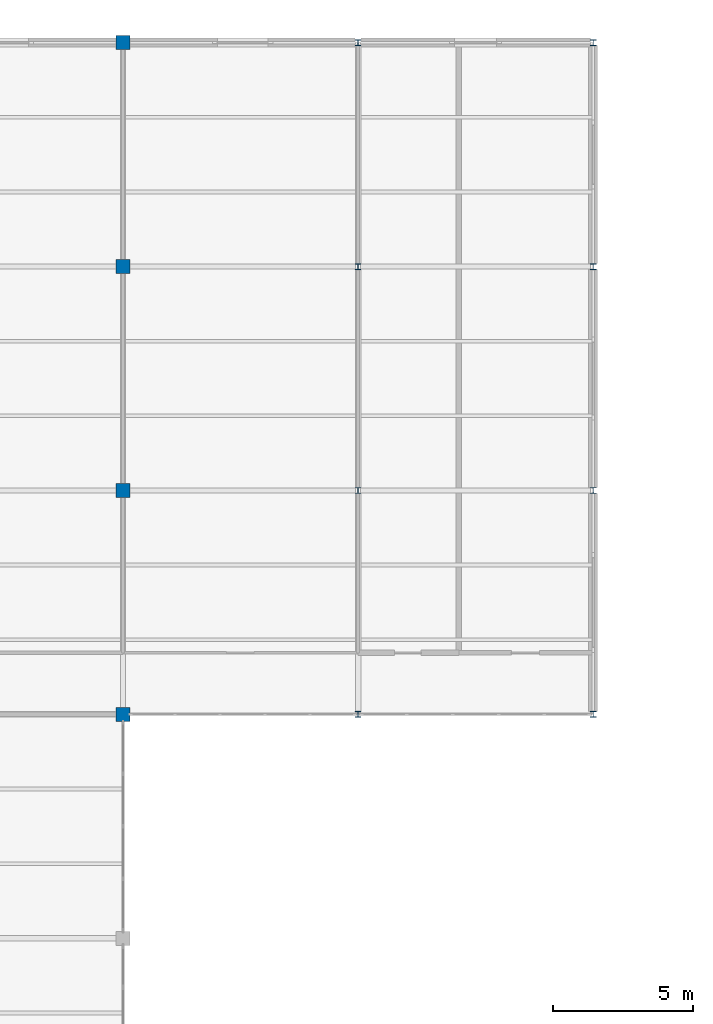
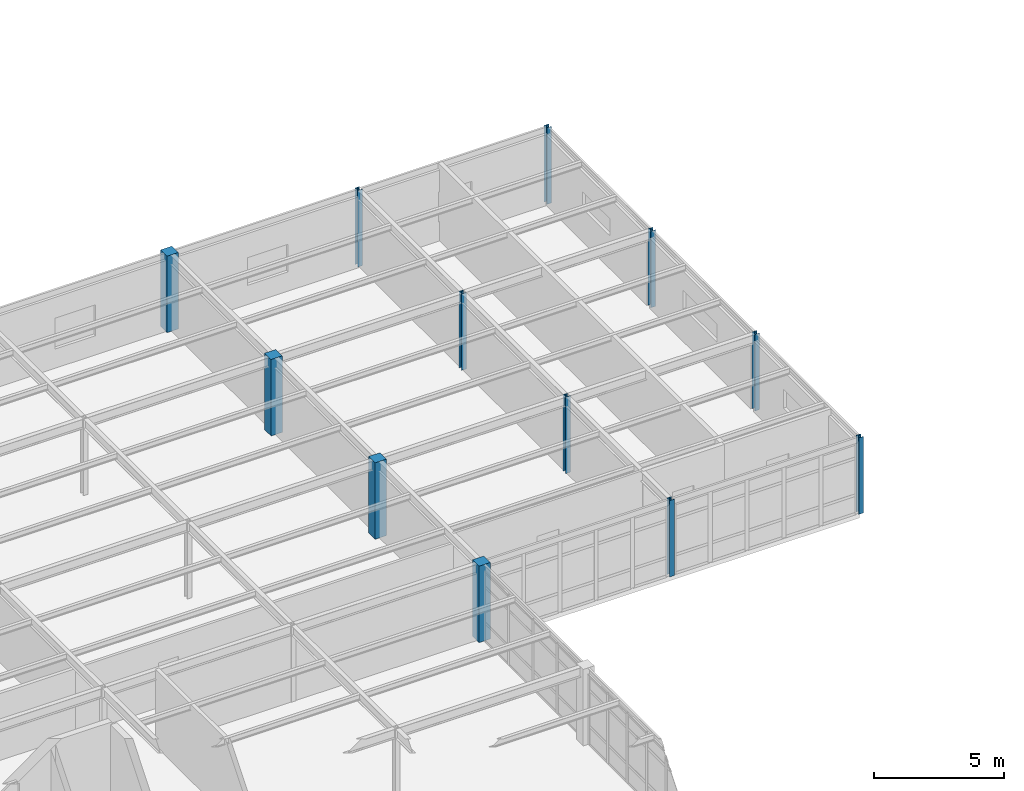
# One storey, part 7 of 32: 12 columns.
"""IFC4 building model written with IfcOpenShell, lengths in metres."""

from ifc_helpers import new_model, si_unit, direction, frame, origin, origin_2d, place, context, subcontext, project, spatial, rectangle, i_section, extrude, material, material_profile, profile_set, type_object, element, save


model = new_model("IFC4")

# Units and contexts
model_context = context("Model", 3, precision=1e-05, world=origin(), true_north=direction((0.0, 1.0)))
body_context = subcontext(model_context, "Body", "Model", "MODEL_VIEW")
ifc_project = project(units=[si_unit("LENGTHUNIT", "METRE"), si_unit("AREAUNIT", "SQUARE_METRE"), si_unit("VOLUMEUNIT", "CUBIC_METRE"), si_unit("PLANEANGLEUNIT", "RADIAN"), si_unit("MASSUNIT", "GRAM", prefix="KILO")], contexts=[model_context])

# Site, building, storey
site_placement = place(None, origin())
site = spatial("IfcSite", under=ifc_project, at=site_placement, CompositionType="ELEMENT")
building_placement = place(site_placement, origin())
building = spatial("IfcBuilding", under=site, at=building_placement, Name="Kranzveld Transit Interchange", CompositionType="ELEMENT")
storey_placement = place(building_placement, frame((0.0, 0.0, 17.199951171875)))
storey = spatial("IfcBuildingStorey", under=building, at=storey_placement, Name="L04", CompositionType="ELEMENT", Elevation=17.199951171875)

# Columns
ifc_material_1 = material(Name="Concrete C35/45", Category="concrete")
ifc_material_profile_1 = material_profile(ifc_material_1, rectangle(XDim=0.5, YDim=0.5, at=origin_2d()), Name="RC 500x500")
ifc_profile_set_1 = profile_set([ifc_material_profile_1], Name="Concrete C35/45")
column_type_1 = type_object("IfcColumnType", Name="Column RC 500x500 C35/45", PredefinedType="COLUMN", material=ifc_profile_set_1)
for number, where, z_axis, x_axis, name in (
    (1, (33.60009765625, 88.0, 0.0), (0.0, 0.0, 1.0), (1.0, 0.0, 0.0), "L04 Column 05/M"),
    (2, (33.60009765625, 96.0, 0.0), (0.0, 0.0, 1.0), (1.0, 0.0, 0.0), "L04 Column 05/N"),
    (3, (33.60009765625, 104.0, 0.0), (0.0, 0.0, 1.0), (1.0, 0.0, 0.0), "L04 Column 05/P"),
    (4, (33.60009765625, 112.0, 0.0), (0.0, 0.0, 1.0), (1.0, 0.0, 0.0), "L04 Column 05/Q"),
):
    element("IfcColumn", number, at=place(storey_placement, frame(where, z_axis=z_axis, x_axis=x_axis)), inside=storey, type_object=column_type_1, Name=name, PredefinedType="COLUMN", context=body_context, shape_type="SweptSolid", body=[
        extrude(rectangle(XDim=0.5, YDim=0.5, at=origin_2d()), origin(), (0.0, 0.0, 1.0), 3.590087890625),
    ])
ifc_material_2 = material(Name="Steel S355JR", Category="steel")
ifc_material_profile_2 = material_profile(ifc_material_2, i_section(OverallWidth=0.205810546875, OverallDepth=0.209716796875, WebThickness=0.009521484375, FlangeThickness=0.01416015625, FilletRadius=0.01025390625, at=origin_2d()), Name="UC 203x203x60")
ifc_profile_set_2 = profile_set([ifc_material_profile_2], Name="Steel S355JR")
column_type_2 = type_object("IfcColumnType", Name="Column Steel UC 203x203x60 S355JR", PredefinedType="COLUMN", material=ifc_profile_set_2)
for number, where, z_axis, x_axis, name in (
    (5, (42.0, 88.0, 0.0), (0.0, 0.0, 1.0), (1.0, 0.0, 0.0), "L04 Column 06/M"),
    (6, (42.0, 96.0, 0.0), (0.0, 0.0, 1.0), (1.0, 0.0, 0.0), "L04 Column 06/N"),
    (7, (42.0, 104.0, 0.0), (0.0, 0.0, 1.0), (1.0, 0.0, 0.0), "L04 Column 06/P"),
    (8, (42.0, 112.0, 0.0), (0.0, 0.0, 1.0), (1.0, 0.0, 0.0), "L04 Column 06/Q"),
    (9, (50.39990234375, 88.0, 0.0), (0.0, 0.0, 1.0), (1.0, 0.0, 0.0), "L04 Column 07/M"),
    (10, (50.39990234375, 96.0, 0.0), (0.0, 0.0, 1.0), (1.0, 0.0, 0.0), "L04 Column 07/N"),
    (11, (50.39990234375, 104.0, 0.0), (0.0, 0.0, 1.0), (1.0, 0.0, 0.0), "L04 Column 07/P"),
    (12, (50.39990234375, 112.0, 0.0), (0.0, 0.0, 1.0), (1.0, 0.0, 0.0), "L04 Column 07/Q"),
):
    element("IfcColumn", number, at=place(storey_placement, frame(where, z_axis=z_axis, x_axis=x_axis)), inside=storey, type_object=column_type_2, Name=name, PredefinedType="COLUMN", context=body_context, shape_type="SweptSolid", body=[
        extrude(i_section(OverallWidth=0.205810546875, OverallDepth=0.209716796875, WebThickness=0.009521484375, FlangeThickness=0.01416015625, FilletRadius=0.01025390625, at=origin_2d()), origin(), (0.0, 0.0, 1.0), 3.590087890625),
    ])

save(model, "model.ifc")
